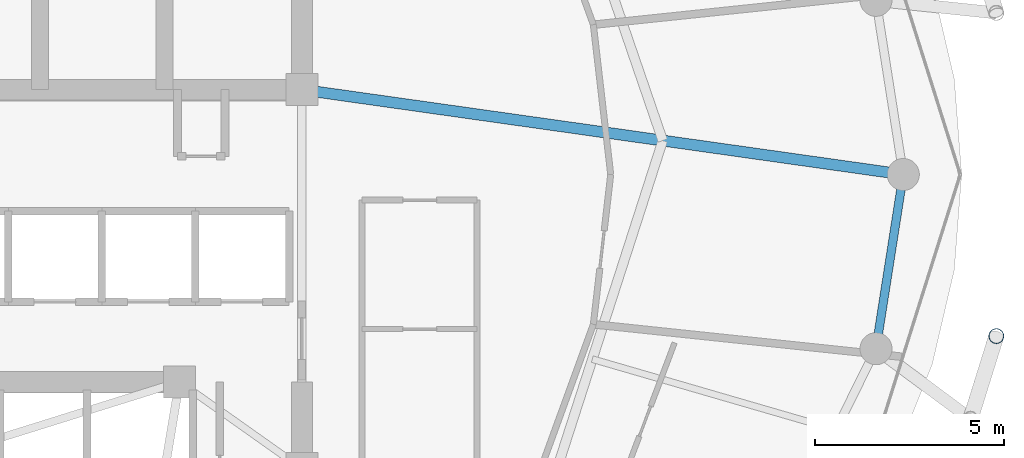
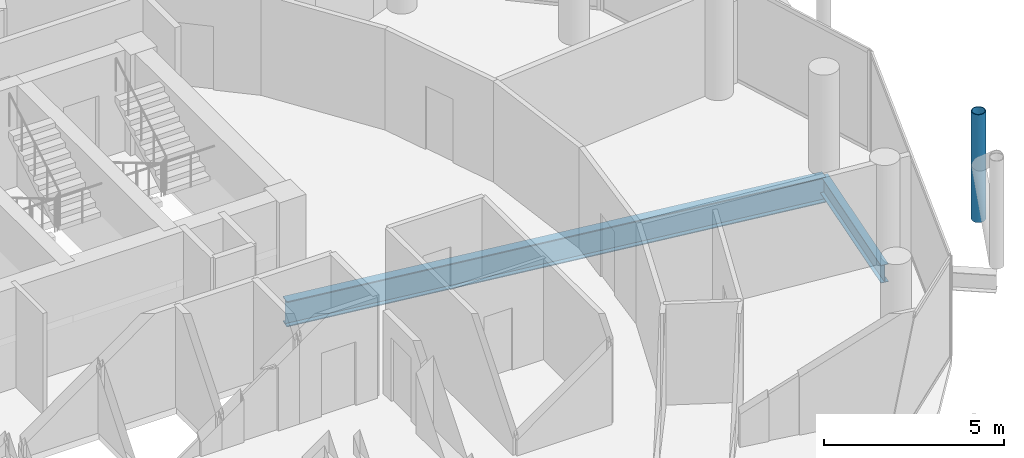
# One storey, part 14 of 27: 2 beams, 1 member.
"""IFC4 building model written with IfcOpenShell, lengths in metres."""

from ifc_helpers import new_model, si_unit, direction, frame, origin, origin_2d, place, context, subcontext, project, spatial, hollow_circle, i_section, extrude, material, material_profile, profile_set, type_object, element, save


model = new_model("IFC4")

# Units and contexts
model_context = context("Model", 3, precision=1e-05, world=origin(), true_north=direction((0.0, 1.0)))
body_context = subcontext(model_context, "Body", "Model", "MODEL_VIEW")
ifc_project = project(units=[si_unit("LENGTHUNIT", "METRE"), si_unit("AREAUNIT", "SQUARE_METRE"), si_unit("VOLUMEUNIT", "CUBIC_METRE"), si_unit("PLANEANGLEUNIT", "RADIAN"), si_unit("MASSUNIT", "GRAM", prefix="KILO")], contexts=[model_context])

# Site, building, storey
site_placement = place(None, origin())
site = spatial("IfcSite", under=ifc_project, at=site_placement, CompositionType="ELEMENT")
building_placement = place(site_placement, origin())
building = spatial("IfcBuilding", under=site, at=building_placement, Name="Nuhasar Tower", CompositionType="ELEMENT")
storey_placement = place(building_placement, frame((0.0, 0.0, 244.64990234375)))
storey = spatial("IfcBuildingStorey", under=building, at=storey_placement, Name="L60", CompositionType="ELEMENT", Elevation=244.64990234375)

# Beams
ifc_material_1 = material(Name="Steel S355", Category="steel")
ifc_material_profile_1 = material_profile(ifc_material_1, i_section(OverallWidth=0.2919921875, OverallDepth=0.85888671875, WebThickness=0.01708984375, FlangeThickness=0.031005859375, at=origin_2d()), Name="W33X169")
ifc_profile_set_1 = profile_set([ifc_material_profile_1], Name="Steel S355")
beam_type_1 = type_object("IfcBeamType", Name="BM-POD-W33X169", PredefinedType="BEAM", material=ifc_profile_set_1)
beam_1_placement = place(storey_placement, frame((44.300048828125, 29.050048828125, -0.6689453125), z_axis=(0.990196233464, -0.139683281866, 0.0), x_axis=(0.139683281866, 0.990196233464, 0.0)))
element("IfcBeam", 1, at=beam_1_placement, inside=storey, type_object=beam_type_1, Name="L60 Radial Floor Girder 04", PredefinedType="BEAM", context=body_context, shape_type="SweptSolid", body=[
    extrude(i_section(OverallWidth=0.2919921875, OverallDepth=0.85888671875, WebThickness=0.01708984375, FlangeThickness=0.031005859375, at=origin_2d()), origin(), (0.0, 0.0, 1.0), 16.10791015625),
])
ifc_material_profile_2 = material_profile(ifc_material_1, i_section(OverallWidth=0.22802734375, OverallDepth=0.60791015625, WebThickness=0.01123046875, FlangeThickness=0.017333984375, at=origin_2d()), Name="W24X76")
ifc_profile_set_2 = profile_set([ifc_material_profile_2], Name="Steel S355")
beam_type_2 = type_object("IfcBeamType", Name="BM-RING-W24X76", PredefinedType="SPANDREL", material=ifc_profile_set_2)
beam_2_placement = place(storey_placement, frame((59.52587890625, 22.179931640625, -0.5439453125), z_axis=(0.154841886404, 0.987939264436, 0.0), x_axis=(-0.987939264436, 0.154841886404, 0.0)))
element("IfcBeam", 2, at=beam_2_placement, inside=storey, type_object=beam_type_2, Name="L60 Perimeter Ring Spandrel 24", PredefinedType="SPANDREL", context=body_context, shape_type="SweptSolid", body=[
    extrude(i_section(OverallWidth=0.22802734375, OverallDepth=0.60791015625, WebThickness=0.01123046875, FlangeThickness=0.017333984375, at=origin_2d()), origin(), (0.0, 0.0, 1.0), 4.676513671875),
])

# Member
ifc_material_2 = material(Name="Steel S460", Category="steel")
ifc_material_profile_3 = material_profile(ifc_material_2, hollow_circle(Radius=0.203125, WallThickness=0.01904296875, at=origin_2d()), Name="HSS406.4X19.1")
ifc_profile_set_3 = profile_set([ifc_material_profile_3], Name="Steel S460")
member_type = type_object("IfcMemberType", Name="EXO-BRONZE-406", PredefinedType="BRACE", material=ifc_profile_set_3)
member_placement = place(storey_placement, frame((62.718017578125, 22.513916015625, 0.0), z_axis=(0.0, 0.0, 1.0), x_axis=(1.0, 0.0, 0.0)))
element("IfcMember", 3, at=member_placement, inside=storey, type_object=member_type, Name="L60 Exoskeleton Chord Column EC-12B", PredefinedType="BRACE", context=body_context, shape_type="SweptSolid", body=[
    extrude(hollow_circle(Radius=0.203125, WallThickness=0.01904296875, at=origin_2d()), origin(), (0.0, 0.0, 1.0), 3.650146484375),
])

save(model, "model.ifc")
